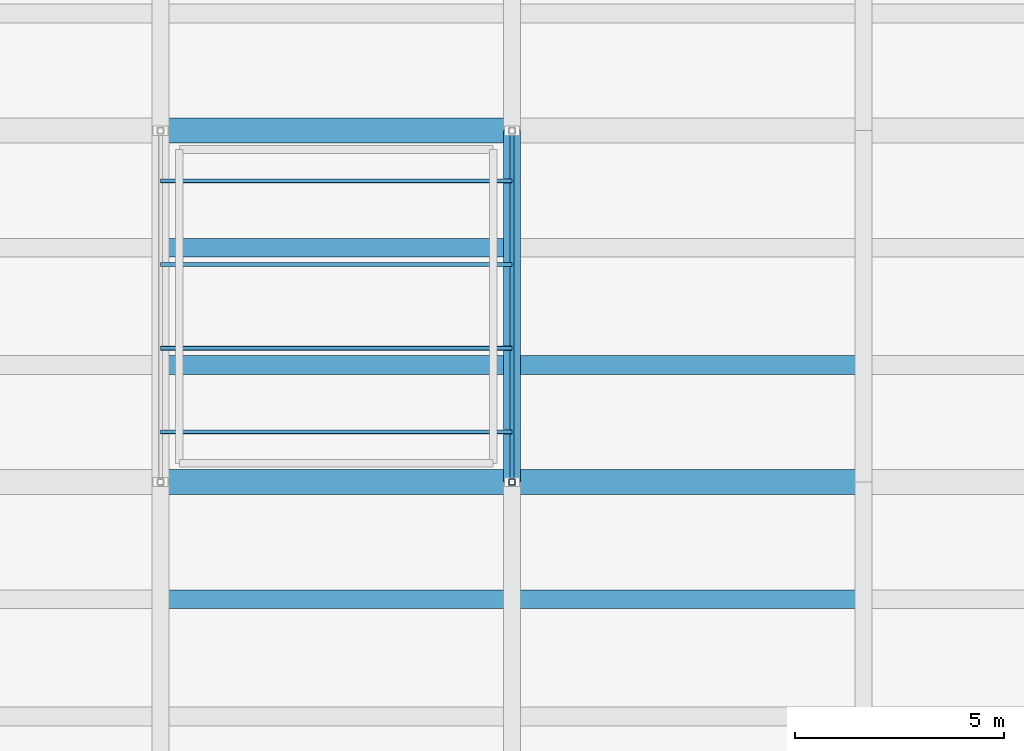
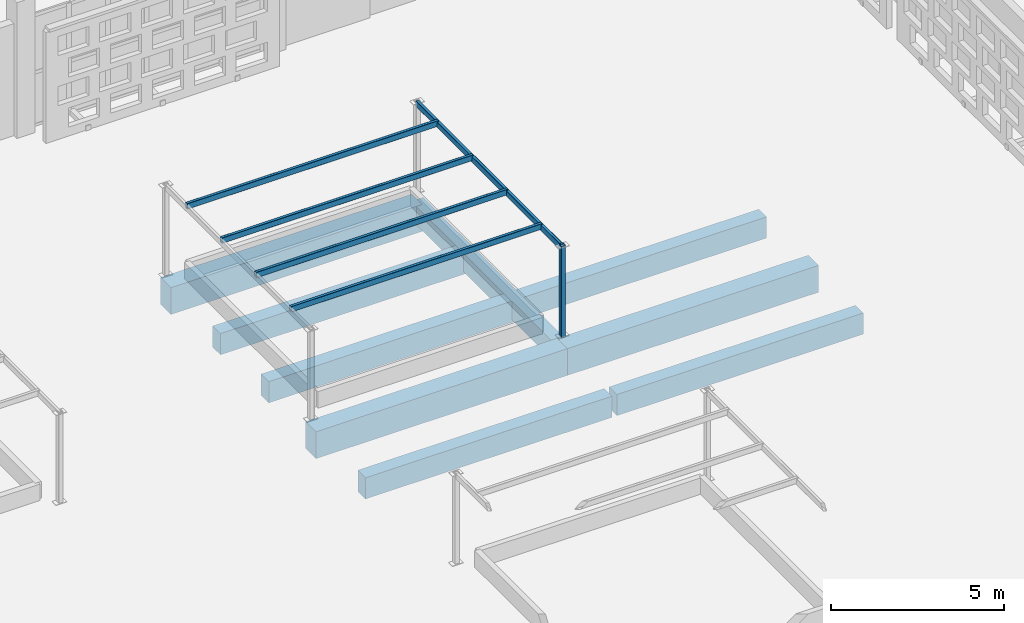
# One storey, part 32 of 129: 9 beams, 6 members.
"""IFC4 building model written with IfcOpenShell, lengths in metres."""

from ifc_helpers import new_model, si_unit, direction, frame, origin, origin_2d, place, context, subcontext, project, spatial, rectangle, hollow_rectangle, extrude, material, material_profile, profile_set, type_object, element, save


model = new_model("IFC4")

# Units and contexts
model_context = context("Model", 3, precision=1e-05, world=origin(), true_north=direction((0.0, 1.0)))
body_context = subcontext(model_context, "Body", "Model", "MODEL_VIEW")
ifc_project = project(units=[si_unit("LENGTHUNIT", "METRE"), si_unit("AREAUNIT", "SQUARE_METRE"), si_unit("VOLUMEUNIT", "CUBIC_METRE"), si_unit("PLANEANGLEUNIT", "RADIAN"), si_unit("MASSUNIT", "GRAM", prefix="KILO")], contexts=[model_context])

# Site, building, storey
site_placement = place(None, origin())
site = spatial("IfcSite", under=ifc_project, at=site_placement, CompositionType="ELEMENT")
building_placement = place(site_placement, origin())
building = spatial("IfcBuilding", under=site, at=building_placement, Name="Varnapada Polytechnic", CompositionType="ELEMENT")
storey_placement = place(building_placement, origin())
storey = spatial("IfcBuildingStorey", under=building, at=storey_placement, Name="L00", CompositionType="ELEMENT", Elevation=0.0)

# Beams
ifc_material_1 = material(Name="Concrete C40/50", Category="concrete")
ifc_material_profile_1 = material_profile(ifc_material_1, rectangle(XDim=0.449951171875, YDim=0.75, at=origin_2d()), Name="RC 450x750")
ifc_profile_set_1 = profile_set([ifc_material_profile_1], Name="Concrete C40/50")
beam_type_1 = type_object("IfcBeamType", Name="Basement/podium secondary beam BB-01 (RC 450x750)", PredefinedType="BEAM", material=ifc_profile_set_1)
for number, where, z_axis, x_axis, name in (
    (1, (109.280029296875, 64.39990234375, -0.655029296875), (1.0, 0.0, 0.0), (0.0, 1.0, 0.0), "L00 floor joist 14/8.2"),
    (2, (109.280029296875, 70.0, -0.655029296875), (1.0, 0.0, 0.0), (0.0, 1.0, 0.0), "L00 floor joist 14/9.1"),
    (3, (109.280029296875, 72.800048828125, -0.655029296875), (1.0, 0.0, 0.0), (0.0, 1.0, 0.0), "L00 floor joist 14/9.2"),
    (4, (117.679931640625, 64.39990234375, -0.655029296875), (1.0, 0.0, 0.0), (0.0, 1.0, 0.0), "L00 floor joist 15/8.2"),
    (5, (117.679931640625, 70.0, -0.655029296875), (1.0, 0.0, 0.0), (0.0, 1.0, 0.0), "L00 floor joist 15/9.1"),
):
    element("IfcBeam", number, at=place(storey_placement, frame(where, z_axis=z_axis, x_axis=x_axis)), inside=storey, type_object=beam_type_1, Name=name, PredefinedType="BEAM", context=body_context, shape_type="SweptSolid", body=[
        extrude(rectangle(XDim=0.449951171875, YDim=0.75, at=origin_2d()), origin(), (0.0, 0.0, 1.0), 8.239990234375),
    ])

# Members
ifc_material_2 = material(Name="Steel S355", Category="steel")
ifc_material_profile_2 = material_profile(ifc_material_2, hollow_rectangle(XDim=0.10009765625, YDim=0.199951171875, WallThickness=0.00634765625, InnerFilletRadius=0.006103515625, OuterFilletRadius=0.011962890625, at=origin_2d()), Name="RHS 200x100x6.3")
ifc_profile_set_2 = profile_set([ifc_material_profile_2], Name="Steel S355")
member_type_1 = type_object("IfcMemberType", Name="Gable and library roof steel purlin PR-01 (RHS 200x100x6.3)", PredefinedType="PURLIN", material=ifc_profile_set_2)
for number, where, z_axis, x_axis, name in (
    (6, (117.60009765625, 67.199951171875, 3.1201171875), (0.0, 1.0, 0.0), (-1.0, 0.0, 0.0), "Courtyard planted garden pergola girder CT-BED-6.2"),
    (7, (109.199951171875, 68.39990234375, 3.159912109375), (1.0, 0.0, 0.0), (0.0, 1.0, 0.0), "Courtyard planted garden shade trellis CT-BED-6.1"),
    (8, (109.199951171875, 70.39990234375, 3.159912109375), (1.0, 0.0, 0.0), (0.0, 1.0, 0.0), "Courtyard planted garden shade trellis CT-BED-6.2"),
    (9, (109.199951171875, 72.39990234375, 3.159912109375), (1.0, 0.0, 0.0), (0.0, 1.0, 0.0), "Courtyard planted garden shade trellis CT-BED-6.3"),
    (10, (109.199951171875, 74.39990234375, 3.159912109375), (1.0, 0.0, 0.0), (0.0, 1.0, 0.0), "Courtyard planted garden shade trellis CT-BED-6.4"),
):
    element("IfcMember", number, at=place(storey_placement, frame(where, z_axis=z_axis, x_axis=x_axis)), inside=storey, type_object=member_type_1, Name=name, PredefinedType="PURLIN", context=body_context, shape_type="SweptSolid", body=[
        extrude(hollow_rectangle(XDim=0.10009765625, YDim=0.199951171875, WallThickness=0.00634765625, InnerFilletRadius=0.006103515625, OuterFilletRadius=0.011962890625, at=origin_2d()), origin(), (0.0, 0.0, 1.0), 8.400146484375),
    ])

# Beam
ifc_material_profile_3 = material_profile(ifc_material_1, rectangle(XDim=0.39990234375, YDim=0.64990234375, at=origin_2d()), Name="RC 400x650")
ifc_profile_set_3 = profile_set([ifc_material_profile_3], Name="Concrete C40/50")
beam_type_2 = type_object("IfcBeamType", Name="Podium framing beam BB-02 (RC 400x650)", PredefinedType="BEAM", material=ifc_profile_set_3)
beam_1_placement = place(storey_placement, frame((117.60009765625, 67.199951171875, -0.60498046875), z_axis=(0.0, 1.0, 0.0), x_axis=(-1.0, 0.0, 0.0)))
element("IfcBeam", 11, at=beam_1_placement, inside=storey, type_object=beam_type_2, Name="L00 beam Y 9-10 at X15", PredefinedType="BEAM", context=body_context, shape_type="SweptSolid", body=[
    extrude(rectangle(XDim=0.39990234375, YDim=0.64990234375, at=origin_2d()), origin(), (0.0, 0.0, 1.0), 8.400146484375),
])

# Member
ifc_material_profile_4 = material_profile(ifc_material_2, hollow_rectangle(XDim=0.14990234375, YDim=0.14990234375, WallThickness=0.00634765625, InnerFilletRadius=0.006103515625, OuterFilletRadius=0.011962890625, at=origin_2d()), Name="SHS 150x150x6.3")
ifc_profile_set_4 = profile_set([ifc_material_profile_4], Name="Steel S355")
member_type_2 = type_object("IfcMemberType", Name="Sawtooth north-light mullion post SFP-02 (SHS 150x150x6.3)", PredefinedType="POST", material=ifc_profile_set_4)
member_placement = place(storey_placement, frame((117.60009765625, 67.199951171875, -0.02001953125), z_axis=(0.0, 0.0, 1.0), x_axis=(1.0, 0.0, 0.0)))
element("IfcMember", 12, at=member_placement, inside=storey, type_object=member_type_2, Name="Courtyard planted garden trellis post CT-BED-6.2.1", PredefinedType="POST", context=body_context, shape_type="SweptSolid", body=[
    extrude(hollow_rectangle(XDim=0.14990234375, YDim=0.14990234375, WallThickness=0.00634765625, InnerFilletRadius=0.006103515625, OuterFilletRadius=0.011962890625, at=origin_2d()), origin(), (0.0, 0.0, 1.0), 3.239990234375),
])

# Beams
ifc_material_profile_5 = material_profile(ifc_material_1, rectangle(XDim=0.60009765625, YDim=0.949951171875, at=origin_2d()), Name="RC 600x950")
ifc_profile_set_5 = profile_set([ifc_material_profile_5], Name="Concrete C40/50")
beam_type_3 = type_object("IfcBeamType", Name="Workshop podium heavy girder BG-03 (RC 600x950)", PredefinedType="T_BEAM", material=ifc_profile_set_5)
for number, where, z_axis, x_axis, name in (
    (13, (109.199951171875, 67.199951171875, -0.7548828125), (1.0, 0.0, 0.0), (0.0, 1.0, 0.0), "L00 beam X 14-15 at Y9"),
    (14, (109.199951171875, 75.60009765625, -0.7548828125), (1.0, 0.0, 0.0), (0.0, 1.0, 0.0), "L00 beam X 14-15 at Y10"),
):
    element("IfcBeam", number, at=place(storey_placement, frame(where, z_axis=z_axis, x_axis=x_axis)), inside=storey, type_object=beam_type_3, Name=name, PredefinedType="T_BEAM", context=body_context, shape_type="SweptSolid", body=[
        extrude(rectangle(XDim=0.60009765625, YDim=0.949951171875, at=origin_2d()), origin(), (0.0, 0.0, 1.0), 8.400146484375),
    ])
beam_2_placement = place(storey_placement, frame((117.60009765625, 67.199951171875, -0.7548828125), z_axis=(1.0, 0.0, 0.0), x_axis=(0.0, 1.0, 0.0)))
element("IfcBeam", 15, at=beam_2_placement, inside=storey, type_object=beam_type_3, Name="L00 beam X 15-16 at Y9", PredefinedType="T_BEAM", context=body_context, shape_type="SweptSolid", body=[
    extrude(rectangle(XDim=0.60009765625, YDim=0.949951171875, at=origin_2d()), origin(), (0.0, 0.0, 1.0), 8.39990234375),
])

save(model, "model.ifc")
